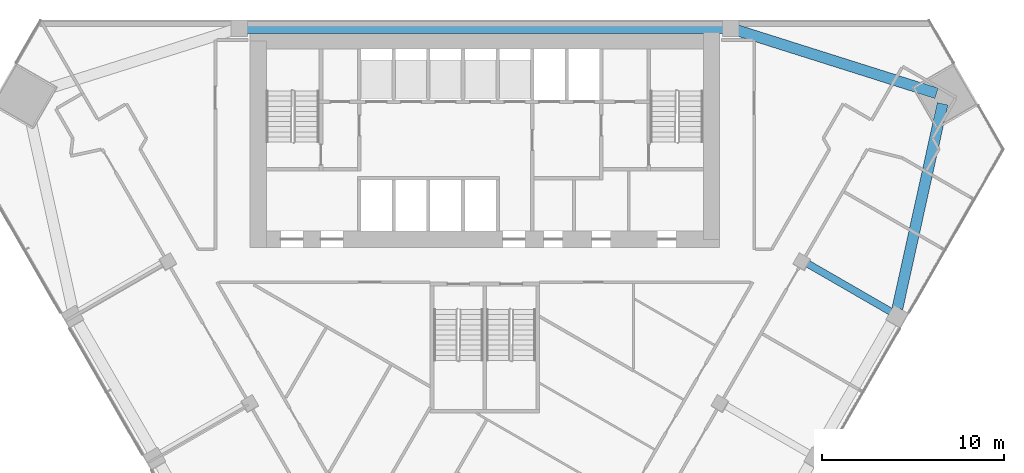
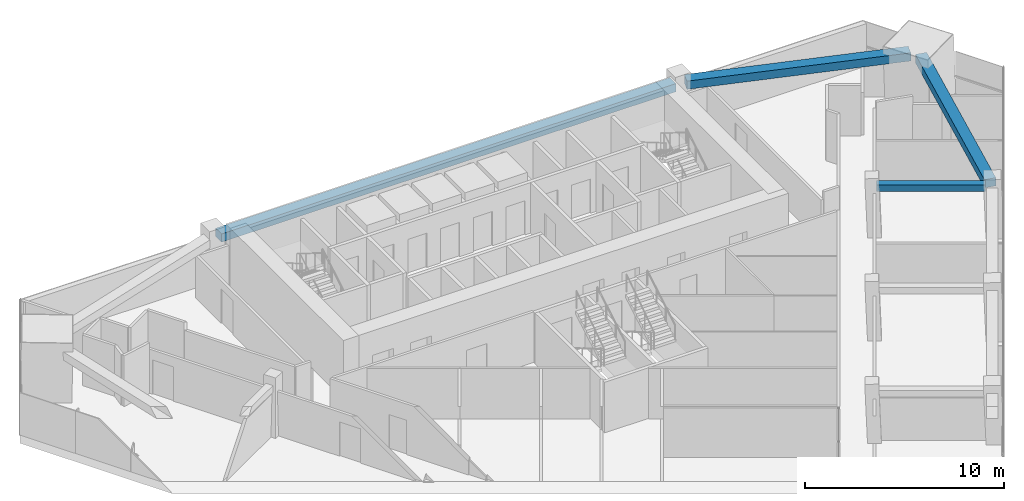
# One storey, part 6 of 14: 4 beams.
"""IFC4 building model written with IfcOpenShell, lengths in metres."""

from ifc_helpers import new_model, si_unit, direction, frame, origin, origin_2d, place, context, subcontext, project, spatial, rectangle, extrude, material, material_profile, profile_set, type_object, element, save


model = new_model("IFC4")

# Units and contexts
model_context = context("Model", 3, precision=1e-05, world=origin(), true_north=direction((0.0, 1.0)))
body_context = subcontext(model_context, "Body", "Model", "MODEL_VIEW")
ifc_project = project(units=[si_unit("LENGTHUNIT", "METRE"), si_unit("AREAUNIT", "SQUARE_METRE"), si_unit("VOLUMEUNIT", "CUBIC_METRE"), si_unit("PLANEANGLEUNIT", "RADIAN"), si_unit("MASSUNIT", "GRAM", prefix="KILO")], contexts=[model_context])

# Site, building, storey
site_placement = place(None, origin())
site = spatial("IfcSite", under=ifc_project, at=site_placement, CompositionType="ELEMENT")
building_placement = place(site_placement, origin())
building = spatial("IfcBuilding", under=site, at=building_placement, Name="Altiplano Prism Tower", CompositionType="ELEMENT")
storey_placement = place(building_placement, frame((0.0, 0.0, 111.60009765625)))
storey = spatial("IfcBuildingStorey", under=building, at=storey_placement, Name="L28", CompositionType="ELEMENT", Elevation=111.60009765625)

# Beams
ifc_material = material(Name="Concrete C60/75", Category="concrete")
ifc_material_profile_1 = material_profile(ifc_material, rectangle(XDim=0.60009765625, YDim=0.5, at=origin_2d()), Name="Edge beam 600x500")
ifc_profile_set_1 = profile_set([ifc_material_profile_1], Name="Concrete C60/75")
beam_type_1 = type_object("IfcBeamType", Name="Edge beam 600x500", PredefinedType="SPANDREL", material=ifc_profile_set_1)
beam_1_placement = place(storey_placement, frame((107.662841796875, 89.154296875, 2.849853515625), z_axis=(0.21558985642, 0.976484005916, 0.0), x_axis=(-0.976484005916, 0.21558985642, 0.0)))
element("IfcBeam", 1, at=beam_1_placement, inside=storey, type_object=beam_type_1, Name="Edge beam P24-M2 L29", PredefinedType="SPANDREL", context=body_context, shape_type="SweptSolid", body=[
    extrude(rectangle(XDim=0.60009765625, YDim=0.5, at=origin_2d()), origin(), (0.0, 0.0, 1.0), 11.513427734375),
])
beam_2_placement = place(storey_placement, frame((109.81298828125, 100.97216796875, 2.849853515625), z_axis=(-0.953453743667, 0.301539315325, 0.0), x_axis=(-0.301539315325, -0.953453743667, 0.0)))
element("IfcBeam", 2, at=beam_2_placement, inside=storey, type_object=beam_type_1, Name="Edge beam M2-P01 L29", PredefinedType="SPANDREL", context=body_context, shape_type="SweptSolid", body=[
    extrude(rectangle(XDim=0.60009765625, YDim=0.5, at=origin_2d()), origin(), (0.0, 0.0, 1.0), 11.51318359375),
])
beam_3_placement = place(storey_placement, frame((98.169921875, 104.550048828125, 2.849853515625), z_axis=(-1.0, 0.0, 0.0), x_axis=(0.0, -1.0, 0.0)))
element("IfcBeam", 3, at=beam_3_placement, inside=storey, type_object=beam_type_1, Name="Edge beam P01-P04 L29", PredefinedType="SPANDREL", context=body_context, shape_type="SweptSolid", body=[
    extrude(rectangle(XDim=0.60009765625, YDim=0.5, at=origin_2d()), origin(), (0.0, 0.0, 1.0), 26.33984375),
])
ifc_material_profile_2 = material_profile(ifc_material, rectangle(XDim=0.39990234375, YDim=0.39990234375, at=origin_2d()), Name="Tie beam 400x400")
ifc_profile_set_2 = profile_set([ifc_material_profile_2], Name="Concrete C60/75")
beam_type_2 = type_object("IfcBeamType", Name="Tie beam 400x400", PredefinedType="BEAM", material=ifc_profile_set_2)
beam_4_placement = place(storey_placement, frame((102.546875, 91.720703125, 2.89990234375), z_axis=(0.866031549307, -0.499989355492, 0.0), x_axis=(0.499989355492, 0.866031549307, 0.0)))
element("IfcBeam", 4, at=beam_4_placement, inside=storey, type_object=beam_type_2, Name="Tie beam I24 L29", PredefinedType="BEAM", context=body_context, shape_type="SweptSolid", body=[
    extrude(rectangle(XDim=0.39990234375, YDim=0.39990234375, at=origin_2d()), origin(), (0.0, 0.0, 1.0), 5.48974609375),
])

save(model, "model.ifc")
